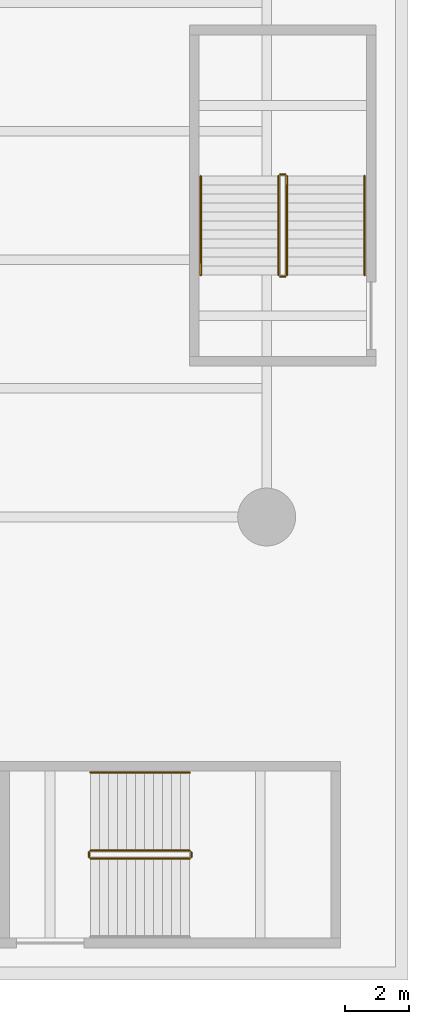
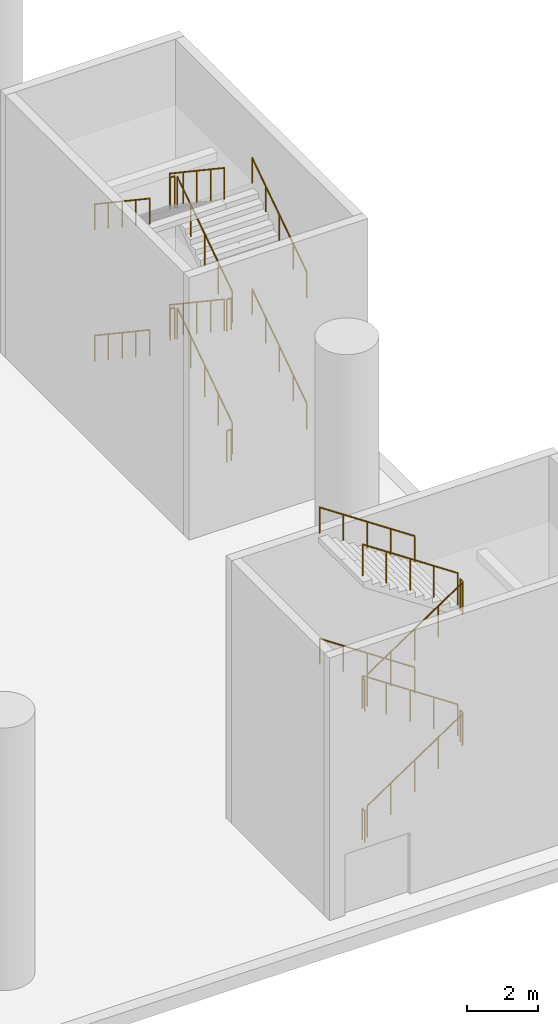
# One storey, part 32 of 37: 22 railings.
"""IFC4 building model written with IfcOpenShell, lengths in metres."""

from ifc_helpers import new_model, si_unit, direction, frame, origin, origin_2d, place, context, subcontext, project, spatial, circle, extrude, material, type_object, element, save


model = new_model("IFC4")

# Units and contexts
model_context = context("Model", 3, precision=1e-05, world=origin(), true_north=direction((0.0, 1.0)))
body_context = subcontext(model_context, "Body", "Model", "MODEL_VIEW")
ifc_project = project(units=[si_unit("LENGTHUNIT", "METRE"), si_unit("AREAUNIT", "SQUARE_METRE"), si_unit("VOLUMEUNIT", "CUBIC_METRE"), si_unit("PLANEANGLEUNIT", "RADIAN"), si_unit("MASSUNIT", "GRAM", prefix="KILO")], contexts=[model_context])

# Site, building, storey
site_placement = place(None, origin())
site = spatial("IfcSite", under=ifc_project, at=site_placement, CompositionType="ELEMENT")
building_placement = place(site_placement, origin())
building = spatial("IfcBuilding", under=site, at=building_placement, Name="Tel Ilan Convention Tower", CompositionType="ELEMENT")
storey_placement = place(building_placement, origin())
storey = spatial("IfcBuildingStorey", under=building, at=storey_placement, Name="L00", CompositionType="ELEMENT", Elevation=0.0)

# Railings
ifc_material_1 = material(Name="Stainless Steel Grade 316", Category="steel")
railing_type_1 = type_object("IfcRailingType", Name="Stainless Steel Stair Guard 1100 mm", PredefinedType="GUARDRAIL", material=ifc_material_1)
railing_1_placement = place(storey_placement, frame((40.52490234375, -78.625, 0.1875)))
element("IfcRailing", 1, at=railing_1_placement, inside=storey, type_object=railing_type_1, Name="L00 P4 stair guard 1", PredefinedType="GUARDRAIL", context=body_context, shape_type="SweptSolid", body=[
    extrude(circle(Radius=0.02392578125, at=origin_2d()), frame((0.0, 0.0, 1.076171875), z_axis=(0.830913701846, 0.0, 0.55640131208), x_axis=(0.0, 1.0, 0.0)), (0.0, 0.0, 1.0), 3.706787109375),
    extrude(circle(Radius=0.02099609375, at=origin_2d()), origin(), (0.0, 0.0, 1.0), 1.052001953125),
    extrude(circle(Radius=0.02099609375, at=origin_2d()), frame((0.77001953125, 0.0, 0.515625)), (0.0, 0.0, 1.0), 1.052001953125),
    extrude(circle(Radius=0.02099609375, at=origin_2d()), frame((1.5400390625, 0.0, 1.03125)), (0.0, 0.0, 1.0), 1.052001953125),
    extrude(circle(Radius=0.02099609375, at=origin_2d()), frame((2.31005859375, 0.0, 1.546875)), (0.0, 0.0, 1.0), 1.052001953125),
    extrude(circle(Radius=0.02099609375, at=origin_2d()), frame((3.080078125, 0.0, 2.0625)), (0.0, 0.0, 1.0), 1.052001953125),
])
railing_2_placement = place(storey_placement, frame((43.655029296875, -78.574951171875, 2.25)))
element("IfcRailing", 2, at=railing_2_placement, inside=storey, type_object=railing_type_1, Name="L00 P4 stair guard 2", PredefinedType="GUARDRAIL", context=body_context, shape_type="SweptSolid", body=[
    extrude(circle(Radius=0.02392578125, at=origin_2d()), frame((0.0, 0.0, 1.076171875), z_axis=(0.0, 1.0, 0.0), x_axis=(-1.0, 0.0, 0.0)), (0.0, 0.0, 1.0), 0.14990234375),
    extrude(circle(Radius=0.02099609375, at=origin_2d()), origin(), (0.0, 0.0, 1.0), 1.052001953125),
    extrude(circle(Radius=0.02099609375, at=origin_2d()), frame((0.0, 0.14990234375, 0.0)), (0.0, 0.0, 1.0), 1.052001953125),
])
railing_3_placement = place(storey_placement, frame((43.60498046875, -78.375, 2.4375)))
element("IfcRailing", 3, at=railing_3_placement, inside=storey, type_object=railing_type_1, Name="L00 P4 stair guard 3", PredefinedType="GUARDRAIL", context=body_context, shape_type="SweptSolid", body=[
    extrude(circle(Radius=0.02392578125, at=origin_2d()), frame((0.0, 0.0, 1.076171875), z_axis=(-0.830913701846, 0.0, 0.55640131208), x_axis=(0.0, -1.0, 0.0)), (0.0, 0.0, 1.0), 3.706787109375),
    extrude(circle(Radius=0.02099609375, at=origin_2d()), origin(), (0.0, 0.0, 1.0), 1.052001953125),
    extrude(circle(Radius=0.02099609375, at=origin_2d()), frame((-0.77001953125, 0.0, 0.515625)), (0.0, 0.0, 1.0), 1.052001953125),
    extrude(circle(Radius=0.02099609375, at=origin_2d()), frame((-1.5400390625, 0.0, 1.03125)), (0.0, 0.0, 1.0), 1.052001953125),
    extrude(circle(Radius=0.02099609375, at=origin_2d()), frame((-2.31005859375, 0.0, 1.546875)), (0.0, 0.0, 1.0), 1.052001953125),
    extrude(circle(Radius=0.02099609375, at=origin_2d()), frame((-3.080078125, 0.0, 2.0625)), (0.0, 0.0, 1.0), 1.052001953125),
])
railing_4_placement = place(storey_placement, frame((40.47509765625, -78.574951171875, 4.5)))
element("IfcRailing", 4, at=railing_4_placement, inside=storey, type_object=railing_type_1, Name="L00 P4 stair guard 4", PredefinedType="GUARDRAIL", context=body_context, shape_type="SweptSolid", body=[
    extrude(circle(Radius=0.02392578125, at=origin_2d()), frame((0.0, 0.0, 1.076171875), z_axis=(0.0, 1.0, 0.0), x_axis=(-1.0, 0.0, 0.0)), (0.0, 0.0, 1.0), 0.14990234375),
    extrude(circle(Radius=0.02099609375, at=origin_2d()), origin(), (0.0, 0.0, 1.0), 1.052001953125),
    extrude(circle(Radius=0.02099609375, at=origin_2d()), frame((0.0, 0.14990234375, 0.0)), (0.0, 0.0, 1.0), 1.052001953125),
])
railing_5_placement = place(storey_placement, frame((40.52490234375, -78.625, 4.6875)))
element("IfcRailing", 5, at=railing_5_placement, inside=storey, type_object=railing_type_1, Name="L00 P4 stair guard 5", PredefinedType="GUARDRAIL", context=body_context, shape_type="SweptSolid", body=[
    extrude(circle(Radius=0.02392578125, at=origin_2d()), frame((0.0, 0.0, 1.076171875), z_axis=(0.830913701846, 0.0, 0.55640131208), x_axis=(0.0, 1.0, 0.0)), (0.0, 0.0, 1.0), 3.706787109375),
    extrude(circle(Radius=0.02099609375, at=origin_2d()), origin(), (0.0, 0.0, 1.0), 1.052001953125),
    extrude(circle(Radius=0.02099609375, at=origin_2d()), frame((0.77001953125, 0.0, 0.515625)), (0.0, 0.0, 1.0), 1.052001953125),
    extrude(circle(Radius=0.02099609375, at=origin_2d()), frame((1.5400390625, 0.0, 1.03125)), (0.0, 0.0, 1.0), 1.052001953125),
    extrude(circle(Radius=0.02099609375, at=origin_2d()), frame((2.31005859375, 0.0, 1.546875)), (0.0, 0.0, 1.0), 1.052001953125),
    extrude(circle(Radius=0.02099609375, at=origin_2d()), frame((3.080078125, 0.0, 2.0625)), (0.0, 0.0, 1.0), 1.052001953125),
])
railing_6_placement = place(storey_placement, frame((43.655029296875, -78.574951171875, 6.75)))
element("IfcRailing", 6, at=railing_6_placement, inside=storey, type_object=railing_type_1, Name="L00 P4 stair guard 6", PredefinedType="GUARDRAIL", context=body_context, shape_type="SweptSolid", body=[
    extrude(circle(Radius=0.02392578125, at=origin_2d()), frame((0.0, 0.0, 1.076171875), z_axis=(0.0, 1.0, 0.0), x_axis=(-1.0, 0.0, 0.0)), (0.0, 0.0, 1.0), 0.14990234375),
    extrude(circle(Radius=0.02099609375, at=origin_2d()), origin(), (0.0, 0.0, 1.0), 1.052001953125),
    extrude(circle(Radius=0.02099609375, at=origin_2d()), frame((0.0, 0.14990234375, 0.0)), (0.0, 0.0, 1.0), 1.052001953125),
])
railing_7_placement = place(storey_placement, frame((43.60498046875, -78.375, 6.9375)))
element("IfcRailing", 7, at=railing_7_placement, inside=storey, type_object=railing_type_1, Name="L00 P4 stair guard 7", PredefinedType="GUARDRAIL", context=body_context, shape_type="SweptSolid", body=[
    extrude(circle(Radius=0.02392578125, at=origin_2d()), frame((0.0, 0.0, 1.076171875), z_axis=(-0.830913701846, 0.0, 0.55640131208), x_axis=(0.0, -1.0, 0.0)), (0.0, 0.0, 1.0), 3.706787109375),
    extrude(circle(Radius=0.02099609375, at=origin_2d()), origin(), (0.0, 0.0, 1.0), 1.052001953125),
    extrude(circle(Radius=0.02099609375, at=origin_2d()), frame((-0.77001953125, 0.0, 0.515625)), (0.0, 0.0, 1.0), 1.052001953125),
    extrude(circle(Radius=0.02099609375, at=origin_2d()), frame((-1.5400390625, 0.0, 1.03125)), (0.0, 0.0, 1.0), 1.052001953125),
    extrude(circle(Radius=0.02099609375, at=origin_2d()), frame((-2.31005859375, 0.0, 1.546875)), (0.0, 0.0, 1.0), 1.052001953125),
    extrude(circle(Radius=0.02099609375, at=origin_2d()), frame((-3.080078125, 0.0, 2.0625)), (0.0, 0.0, 1.0), 1.052001953125),
])
railing_8_placement = place(storey_placement, frame((40.47509765625, -78.574951171875, 0.0)))
element("IfcRailing", 8, at=railing_8_placement, inside=storey, type_object=railing_type_1, Name="L00 P4 stair guard 8", PredefinedType="GUARDRAIL", context=body_context, shape_type="SweptSolid", body=[
    extrude(circle(Radius=0.02392578125, at=origin_2d()), frame((0.0, 0.0, 1.076171875), z_axis=(0.0, 1.0, 0.0), x_axis=(-1.0, 0.0, 0.0)), (0.0, 0.0, 1.0), 0.14990234375),
    extrude(circle(Radius=0.02099609375, at=origin_2d()), origin(), (0.0, 0.0, 1.0), 1.052001953125),
    extrude(circle(Radius=0.02099609375, at=origin_2d()), frame((0.0, 0.14990234375, 0.0)), (0.0, 0.0, 1.0), 1.052001953125),
])
railing_9_placement = place(storey_placement, frame((46.625, -60.47509765625, 0.1875)))
element("IfcRailing", 9, at=railing_9_placement, inside=storey, type_object=railing_type_1, Name="L00 P6 stair guard 1", PredefinedType="GUARDRAIL", context=body_context, shape_type="SweptSolid", body=[
    extrude(circle(Radius=0.02392578125, at=origin_2d()), frame((0.0, 0.0, 1.076171875), z_axis=(0.0, 0.830913701846, 0.55640131208), x_axis=(-1.0, 0.0, 0.0)), (0.0, 0.0, 1.0), 3.706787109375),
    extrude(circle(Radius=0.02099609375, at=origin_2d()), origin(), (0.0, 0.0, 1.0), 1.052001953125),
    extrude(circle(Radius=0.02099609375, at=origin_2d()), frame((0.0, 0.77001953125, 0.515625)), (0.0, 0.0, 1.0), 1.052001953125),
    extrude(circle(Radius=0.02099609375, at=origin_2d()), frame((0.0, 1.5400390625, 1.03125)), (0.0, 0.0, 1.0), 1.052001953125),
    extrude(circle(Radius=0.02099609375, at=origin_2d()), frame((0.0, 2.31005859375, 1.546875)), (0.0, 0.0, 1.0), 1.052001953125),
    extrude(circle(Radius=0.02099609375, at=origin_2d()), frame((0.0, 3.080078125, 2.0625)), (0.0, 0.0, 1.0), 1.052001953125),
])
railing_10_placement = place(storey_placement, frame((46.574951171875, -57.344970703125, 2.25)))
element("IfcRailing", 10, at=railing_10_placement, inside=storey, type_object=railing_type_1, Name="L00 P6 stair guard 2", PredefinedType="GUARDRAIL", context=body_context, shape_type="SweptSolid", body=[
    extrude(circle(Radius=0.02392578125, at=origin_2d()), frame((0.0, 0.0, 1.076171875), z_axis=(-1.0, 0.0, 0.0), x_axis=(0.0, -1.0, 0.0)), (0.0, 0.0, 1.0), 0.14990234375),
    extrude(circle(Radius=0.02099609375, at=origin_2d()), origin(), (0.0, 0.0, 1.0), 1.052001953125),
    extrude(circle(Radius=0.02099609375, at=origin_2d()), frame((-0.14990234375, 0.0, 0.0)), (0.0, 0.0, 1.0), 1.052001953125),
])
railing_11_placement = place(storey_placement, frame((46.375, -57.39501953125, 2.4375)))
element("IfcRailing", 11, at=railing_11_placement, inside=storey, type_object=railing_type_1, Name="L00 P6 stair guard 3", PredefinedType="GUARDRAIL", context=body_context, shape_type="SweptSolid", body=[
    extrude(circle(Radius=0.02392578125, at=origin_2d()), frame((0.0, 0.0, 1.076171875), z_axis=(0.0, -0.830913701846, 0.55640131208), x_axis=(1.0, 0.0, 0.0)), (0.0, 0.0, 1.0), 3.706787109375),
    extrude(circle(Radius=0.02099609375, at=origin_2d()), origin(), (0.0, 0.0, 1.0), 1.052001953125),
    extrude(circle(Radius=0.02099609375, at=origin_2d()), frame((0.0, -0.77001953125, 0.515625)), (0.0, 0.0, 1.0), 1.052001953125),
    extrude(circle(Radius=0.02099609375, at=origin_2d()), frame((0.0, -1.5400390625, 1.03125)), (0.0, 0.0, 1.0), 1.052001953125),
    extrude(circle(Radius=0.02099609375, at=origin_2d()), frame((0.0, -2.31005859375, 1.546875)), (0.0, 0.0, 1.0), 1.052001953125),
    extrude(circle(Radius=0.02099609375, at=origin_2d()), frame((0.0, -3.080078125, 2.0625)), (0.0, 0.0, 1.0), 1.052001953125),
])
railing_12_placement = place(storey_placement, frame((46.574951171875, -60.52490234375, 4.5)))
element("IfcRailing", 12, at=railing_12_placement, inside=storey, type_object=railing_type_1, Name="L00 P6 stair guard 4", PredefinedType="GUARDRAIL", context=body_context, shape_type="SweptSolid", body=[
    extrude(circle(Radius=0.02392578125, at=origin_2d()), frame((0.0, 0.0, 1.076171875), z_axis=(-1.0, 0.0, 0.0), x_axis=(0.0, -1.0, 0.0)), (0.0, 0.0, 1.0), 0.14990234375),
    extrude(circle(Radius=0.02099609375, at=origin_2d()), origin(), (0.0, 0.0, 1.0), 1.052001953125),
    extrude(circle(Radius=0.02099609375, at=origin_2d()), frame((-0.14990234375, 0.0, 0.0)), (0.0, 0.0, 1.0), 1.052001953125),
])
railing_13_placement = place(storey_placement, frame((46.625, -60.47509765625, 4.6875)))
element("IfcRailing", 13, at=railing_13_placement, inside=storey, type_object=railing_type_1, Name="L00 P6 stair guard 5", PredefinedType="GUARDRAIL", context=body_context, shape_type="SweptSolid", body=[
    extrude(circle(Radius=0.02392578125, at=origin_2d()), frame((0.0, 0.0, 1.076171875), z_axis=(0.0, 0.830913701846, 0.55640131208), x_axis=(-1.0, 0.0, 0.0)), (0.0, 0.0, 1.0), 3.706787109375),
    extrude(circle(Radius=0.02099609375, at=origin_2d()), origin(), (0.0, 0.0, 1.0), 1.052001953125),
    extrude(circle(Radius=0.02099609375, at=origin_2d()), frame((0.0, 0.77001953125, 0.515625)), (0.0, 0.0, 1.0), 1.052001953125),
    extrude(circle(Radius=0.02099609375, at=origin_2d()), frame((0.0, 1.5400390625, 1.03125)), (0.0, 0.0, 1.0), 1.052001953125),
    extrude(circle(Radius=0.02099609375, at=origin_2d()), frame((0.0, 2.31005859375, 1.546875)), (0.0, 0.0, 1.0), 1.052001953125),
    extrude(circle(Radius=0.02099609375, at=origin_2d()), frame((0.0, 3.080078125, 2.0625)), (0.0, 0.0, 1.0), 1.052001953125),
])
railing_14_placement = place(storey_placement, frame((46.574951171875, -57.344970703125, 6.75)))
element("IfcRailing", 14, at=railing_14_placement, inside=storey, type_object=railing_type_1, Name="L00 P6 stair guard 6", PredefinedType="GUARDRAIL", context=body_context, shape_type="SweptSolid", body=[
    extrude(circle(Radius=0.02392578125, at=origin_2d()), frame((0.0, 0.0, 1.076171875), z_axis=(-1.0, 0.0, 0.0), x_axis=(0.0, -1.0, 0.0)), (0.0, 0.0, 1.0), 0.14990234375),
    extrude(circle(Radius=0.02099609375, at=origin_2d()), origin(), (0.0, 0.0, 1.0), 1.052001953125),
    extrude(circle(Radius=0.02099609375, at=origin_2d()), frame((-0.14990234375, 0.0, 0.0)), (0.0, 0.0, 1.0), 1.052001953125),
])
railing_15_placement = place(storey_placement, frame((46.375, -57.39501953125, 6.9375)))
element("IfcRailing", 15, at=railing_15_placement, inside=storey, type_object=railing_type_1, Name="L00 P6 stair guard 7", PredefinedType="GUARDRAIL", context=body_context, shape_type="SweptSolid", body=[
    extrude(circle(Radius=0.02392578125, at=origin_2d()), frame((0.0, 0.0, 1.076171875), z_axis=(0.0, -0.830913701846, 0.55640131208), x_axis=(1.0, 0.0, 0.0)), (0.0, 0.0, 1.0), 3.706787109375),
    extrude(circle(Radius=0.02099609375, at=origin_2d()), origin(), (0.0, 0.0, 1.0), 1.052001953125),
    extrude(circle(Radius=0.02099609375, at=origin_2d()), frame((0.0, -0.77001953125, 0.515625)), (0.0, 0.0, 1.0), 1.052001953125),
    extrude(circle(Radius=0.02099609375, at=origin_2d()), frame((0.0, -1.5400390625, 1.03125)), (0.0, 0.0, 1.0), 1.052001953125),
    extrude(circle(Radius=0.02099609375, at=origin_2d()), frame((0.0, -2.31005859375, 1.546875)), (0.0, 0.0, 1.0), 1.052001953125),
    extrude(circle(Radius=0.02099609375, at=origin_2d()), frame((0.0, -3.080078125, 2.0625)), (0.0, 0.0, 1.0), 1.052001953125),
])
railing_16_placement = place(storey_placement, frame((46.574951171875, -60.52490234375, 0.0)))
element("IfcRailing", 16, at=railing_16_placement, inside=storey, type_object=railing_type_1, Name="L00 P6 stair guard 8", PredefinedType="GUARDRAIL", context=body_context, shape_type="SweptSolid", body=[
    extrude(circle(Radius=0.02392578125, at=origin_2d()), frame((0.0, 0.0, 1.076171875), z_axis=(-1.0, 0.0, 0.0), x_axis=(0.0, -1.0, 0.0)), (0.0, 0.0, 1.0), 0.14990234375),
    extrude(circle(Radius=0.02099609375, at=origin_2d()), origin(), (0.0, 0.0, 1.0), 1.052001953125),
    extrude(circle(Radius=0.02099609375, at=origin_2d()), frame((-0.14990234375, 0.0, 0.0)), (0.0, 0.0, 1.0), 1.052001953125),
])
ifc_material_2 = material(Name="Stainless Steel Grade 316", Category="steel")
railing_type_2 = type_object("IfcRailingType", Name="Stainless Steel Stair Handrail 900 mm", PredefinedType="HANDRAIL", material=ifc_material_2)
for number, where, name in (
    (17, (43.60498046875, -75.949951171875, 2.4375), "L00 P4 stair handrail 2"),
    (18, (43.60498046875, -75.949951171875, 6.9375), "L00 P4 stair handrail 4"),
):
    element("IfcRailing", number, at=place(storey_placement, frame(where)), inside=storey, type_object=railing_type_2, Name=name, PredefinedType="HANDRAIL", context=body_context, shape_type="SweptSolid", body=[
        extrude(circle(Radius=0.02392578125, at=origin_2d()), frame((0.0, 0.0, 0.8759765625), z_axis=(-0.830913701846, 0.0, 0.55640131208), x_axis=(0.0, -1.0, 0.0)), (0.0, 0.0, 1.0), 3.706787109375),
        extrude(circle(Radius=0.02099609375, at=origin_2d()), origin(), (0.0, 0.0, 1.0), 0.851806640625),
        extrude(circle(Radius=0.02099609375, at=origin_2d()), frame((-0.77001953125, 0.0, 0.515625)), (0.0, 0.0, 1.0), 0.851806640625),
        extrude(circle(Radius=0.02099609375, at=origin_2d()), frame((-1.5400390625, 0.0, 1.03125)), (0.0, 0.0, 1.0), 0.851806640625),
        extrude(circle(Radius=0.02099609375, at=origin_2d()), frame((-2.31005859375, 0.0, 1.546875)), (0.0, 0.0, 1.0), 0.851806640625),
        extrude(circle(Radius=0.02099609375, at=origin_2d()), frame((-3.080078125, 0.0, 2.0625)), (0.0, 0.0, 1.0), 0.851806640625),
    ])
railing_17_placement = place(storey_placement, frame((49.050048828125, -60.47509765625, 0.1875)))
element("IfcRailing", 19, at=railing_17_placement, inside=storey, type_object=railing_type_2, Name="L00 P6 stair handrail 1", PredefinedType="HANDRAIL", context=body_context, shape_type="SweptSolid", body=[
    extrude(circle(Radius=0.02392578125, at=origin_2d()), frame((0.0, 0.0, 0.8759765625), z_axis=(0.0, 0.830913701846, 0.55640131208), x_axis=(-1.0, 0.0, 0.0)), (0.0, 0.0, 1.0), 3.706787109375),
    extrude(circle(Radius=0.02099609375, at=origin_2d()), origin(), (0.0, 0.0, 1.0), 0.851806640625),
    extrude(circle(Radius=0.02099609375, at=origin_2d()), frame((0.0, 0.77001953125, 0.515625)), (0.0, 0.0, 1.0), 0.851806640625),
    extrude(circle(Radius=0.02099609375, at=origin_2d()), frame((0.0, 1.5400390625, 1.03125)), (0.0, 0.0, 1.0), 0.851806640625),
    extrude(circle(Radius=0.02099609375, at=origin_2d()), frame((0.0, 2.31005859375, 1.546875)), (0.0, 0.0, 1.0), 0.851806640625),
    extrude(circle(Radius=0.02099609375, at=origin_2d()), frame((0.0, 3.080078125, 2.0625)), (0.0, 0.0, 1.0), 0.851806640625),
])
railing_18_placement = place(storey_placement, frame((43.949951171875, -57.39501953125, 2.4375)))
element("IfcRailing", 20, at=railing_18_placement, inside=storey, type_object=railing_type_2, Name="L00 P6 stair handrail 2", PredefinedType="HANDRAIL", context=body_context, shape_type="SweptSolid", body=[
    extrude(circle(Radius=0.02392578125, at=origin_2d()), frame((0.0, 0.0, 0.8759765625), z_axis=(0.0, -0.830913701846, 0.55640131208), x_axis=(1.0, 0.0, 0.0)), (0.0, 0.0, 1.0), 3.706787109375),
    extrude(circle(Radius=0.02099609375, at=origin_2d()), origin(), (0.0, 0.0, 1.0), 0.851806640625),
    extrude(circle(Radius=0.02099609375, at=origin_2d()), frame((0.0, -0.77001953125, 0.515625)), (0.0, 0.0, 1.0), 0.851806640625),
    extrude(circle(Radius=0.02099609375, at=origin_2d()), frame((0.0, -1.5400390625, 1.03125)), (0.0, 0.0, 1.0), 0.851806640625),
    extrude(circle(Radius=0.02099609375, at=origin_2d()), frame((0.0, -2.31005859375, 1.546875)), (0.0, 0.0, 1.0), 0.851806640625),
    extrude(circle(Radius=0.02099609375, at=origin_2d()), frame((0.0, -3.080078125, 2.0625)), (0.0, 0.0, 1.0), 0.851806640625),
])
railing_19_placement = place(storey_placement, frame((49.050048828125, -60.47509765625, 4.6875)))
element("IfcRailing", 21, at=railing_19_placement, inside=storey, type_object=railing_type_2, Name="L00 P6 stair handrail 3", PredefinedType="HANDRAIL", context=body_context, shape_type="SweptSolid", body=[
    extrude(circle(Radius=0.02392578125, at=origin_2d()), frame((0.0, 0.0, 0.8759765625), z_axis=(0.0, 0.830913701846, 0.55640131208), x_axis=(-1.0, 0.0, 0.0)), (0.0, 0.0, 1.0), 3.706787109375),
    extrude(circle(Radius=0.02099609375, at=origin_2d()), origin(), (0.0, 0.0, 1.0), 0.851806640625),
    extrude(circle(Radius=0.02099609375, at=origin_2d()), frame((0.0, 0.77001953125, 0.515625)), (0.0, 0.0, 1.0), 0.851806640625),
    extrude(circle(Radius=0.02099609375, at=origin_2d()), frame((0.0, 1.5400390625, 1.03125)), (0.0, 0.0, 1.0), 0.851806640625),
    extrude(circle(Radius=0.02099609375, at=origin_2d()), frame((0.0, 2.31005859375, 1.546875)), (0.0, 0.0, 1.0), 0.851806640625),
    extrude(circle(Radius=0.02099609375, at=origin_2d()), frame((0.0, 3.080078125, 2.0625)), (0.0, 0.0, 1.0), 0.851806640625),
])
railing_20_placement = place(storey_placement, frame((43.949951171875, -57.39501953125, 6.9375)))
element("IfcRailing", 22, at=railing_20_placement, inside=storey, type_object=railing_type_2, Name="L00 P6 stair handrail 4", PredefinedType="HANDRAIL", context=body_context, shape_type="SweptSolid", body=[
    extrude(circle(Radius=0.02392578125, at=origin_2d()), frame((0.0, 0.0, 0.8759765625), z_axis=(0.0, -0.830913701846, 0.55640131208), x_axis=(1.0, 0.0, 0.0)), (0.0, 0.0, 1.0), 3.706787109375),
    extrude(circle(Radius=0.02099609375, at=origin_2d()), origin(), (0.0, 0.0, 1.0), 0.851806640625),
    extrude(circle(Radius=0.02099609375, at=origin_2d()), frame((0.0, -0.77001953125, 0.515625)), (0.0, 0.0, 1.0), 0.851806640625),
    extrude(circle(Radius=0.02099609375, at=origin_2d()), frame((0.0, -1.5400390625, 1.03125)), (0.0, 0.0, 1.0), 0.851806640625),
    extrude(circle(Radius=0.02099609375, at=origin_2d()), frame((0.0, -2.31005859375, 1.546875)), (0.0, 0.0, 1.0), 0.851806640625),
    extrude(circle(Radius=0.02099609375, at=origin_2d()), frame((0.0, -3.080078125, 2.0625)), (0.0, 0.0, 1.0), 0.851806640625),
])

save(model, "model.ifc")
